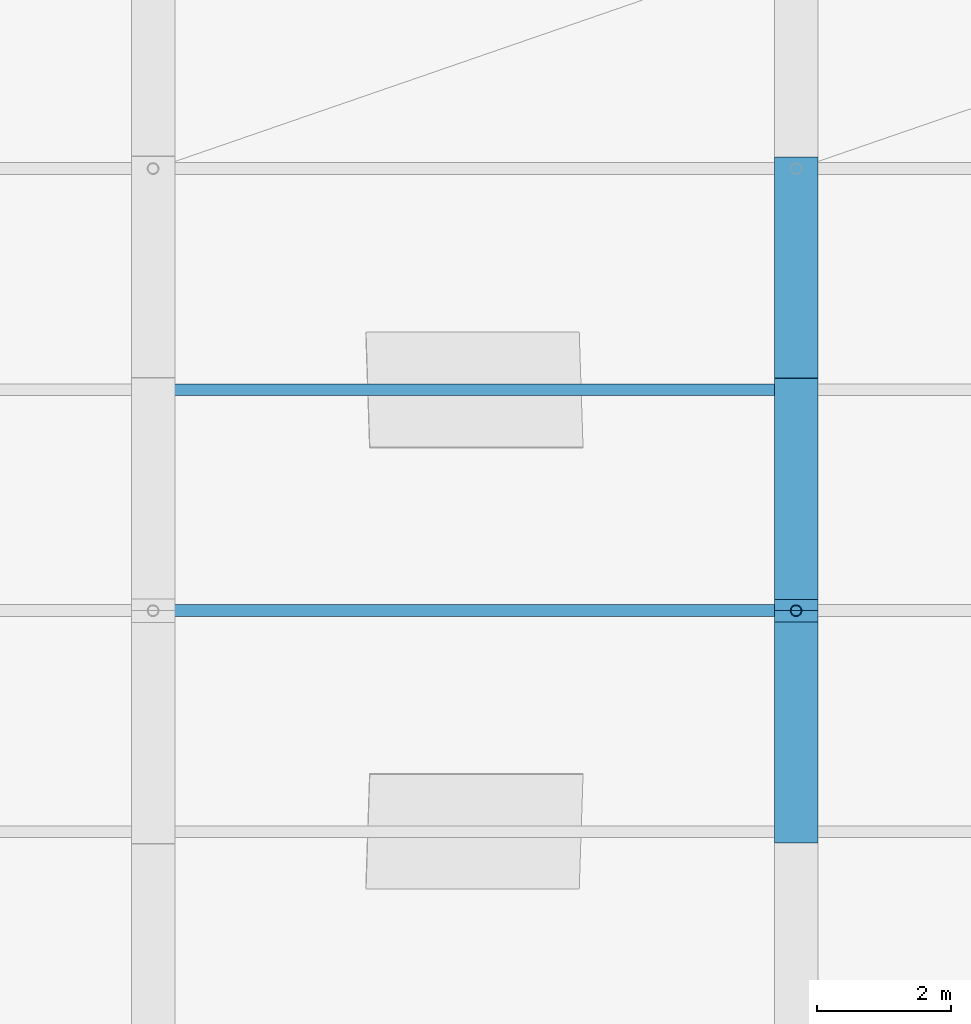
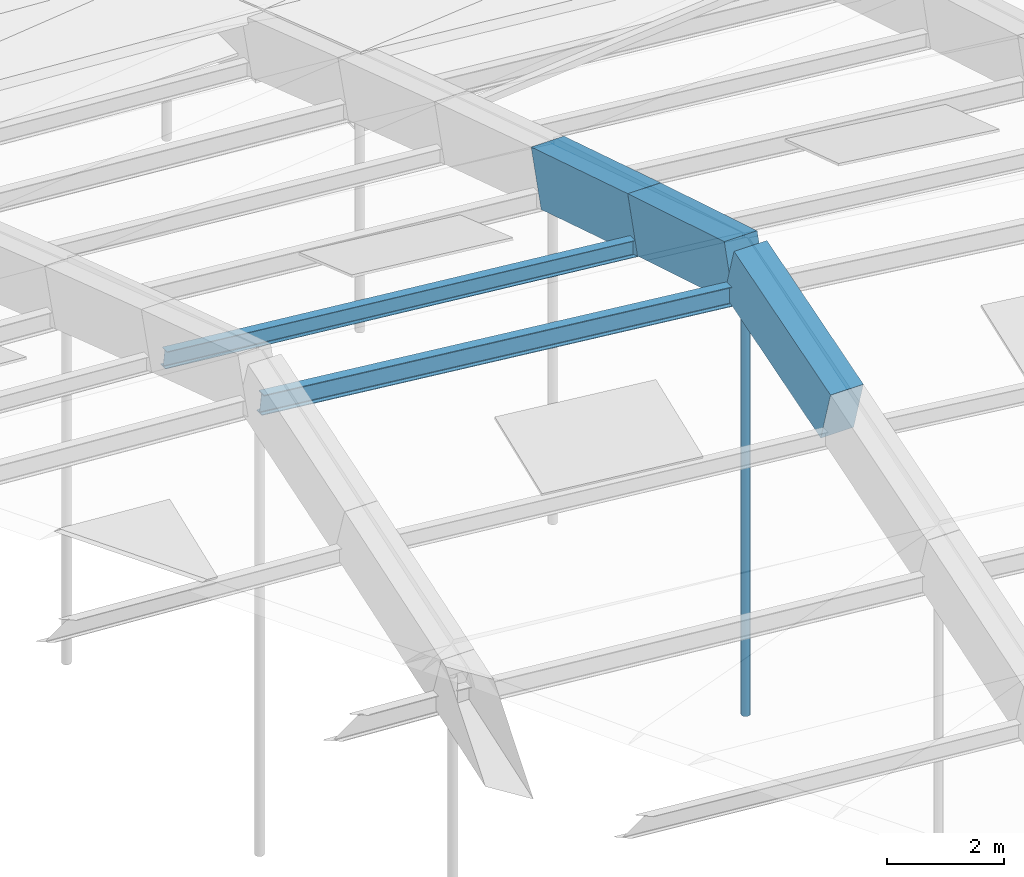
# One storey, part 32 of 43: 3 beams, 3 members.
"""IFC4 building model written with IfcOpenShell, lengths in metres."""

from ifc_helpers import new_model, si_unit, direction, frame, origin, origin_2d, place, context, subcontext, project, spatial, rectangle, hollow_circle, i_section, extrude, material, material_profile, profile_set, type_object, element, save


model = new_model("IFC4")

# Units and contexts
model_context = context("Model", 3, precision=1e-05, world=origin(), true_north=direction((0.0, 1.0)))
body_context = subcontext(model_context, "Body", "Model", "MODEL_VIEW")
ifc_project = project(units=[si_unit("LENGTHUNIT", "METRE"), si_unit("AREAUNIT", "SQUARE_METRE"), si_unit("VOLUMEUNIT", "CUBIC_METRE"), si_unit("PLANEANGLEUNIT", "RADIAN"), si_unit("MASSUNIT", "GRAM", prefix="KILO")], contexts=[model_context])

# Site, building, storey
site_placement = place(None, origin())
site = spatial("IfcSite", under=ifc_project, at=site_placement, CompositionType="ELEMENT")
building_placement = place(site_placement, origin())
building = spatial("IfcBuilding", under=site, at=building_placement, Name="Chalmorin Arch Market", CompositionType="ELEMENT")
storey_placement = place(building_placement, frame((0.0, 0.0, 18.60009765625)))
storey = spatial("IfcBuildingStorey", under=building, at=storey_placement, Name="RF", CompositionType="ELEMENT", Elevation=18.60009765625)

# Member
ifc_material_1 = material(Name="Steel A500 Grade C", Category="steel")
ifc_material_profile_1 = material_profile(ifc_material_1, hollow_circle(Radius=0.084228515625, WallThickness=0.007080078125, at=origin_2d()), Name="CHS168X7")
ifc_profile_set_1 = profile_set([ifc_material_profile_1], Name="Steel A500 Grade C")
member_type_1 = type_object("IfcMemberType", Name="ArchHangerTie-CHS168", PredefinedType="CHORD", material=ifc_profile_set_1)
member_1_placement = place(storey_placement, frame((115.199951171875, 32.39990234375, -3.283447265625), z_axis=(0.0, 0.0, 1.0), x_axis=(1.0, 0.0, 0.0)))
element("IfcMember", 1, at=member_1_placement, inside=storey, type_object=member_type_1, Name="HT-CH168-0180", PredefinedType="CHORD", context=body_context, shape_type="SweptSolid", body=[
    extrude(hollow_circle(Radius=0.084228515625, WallThickness=0.007080078125, at=origin_2d()), origin(), (0.0, 0.0, 1.0), 9.319580078125),
])

# Beams
ifc_material_2 = material(Name="Concrete C50/60", Category="concrete")
ifc_material_profile_2 = material_profile(ifc_material_2, rectangle(XDim=0.64990234375, YDim=1.14990234375, at=origin_2d()), Name="RC650X1150")
ifc_profile_set_2 = profile_set([ifc_material_profile_2], Name="Concrete C50/60")
beam_type = type_object("IfcBeamType", Name="ArchRibChord-650x1150", PredefinedType="BEAM", material=ifc_profile_set_2)
beam_1_placement = place(storey_placement, frame((115.199951171875, 29.10009765625, 5.035888671875), z_axis=(0.0, 0.956999985535, 0.290087965429), x_axis=(-1.0, 0.0, 0.0)))
element("IfcBeam", 2, at=beam_1_placement, inside=storey, type_object=beam_type, Name="AR-01-1725", PredefinedType="BEAM", context=body_context, shape_type="SweptSolid", body=[
    extrude(rectangle(XDim=0.64990234375, YDim=1.14990234375, at=origin_2d()), origin(), (0.0, 0.0, 1.0), 3.447998046875),
])
beam_2_placement = place(storey_placement, frame((115.199951171875, 32.39990234375, 6.0361328125), z_axis=(0.0, 0.95700594324, -0.290068310236), x_axis=(-1.0, 0.0, 0.0)))
element("IfcBeam", 3, at=beam_2_placement, inside=storey, type_object=beam_type, Name="AR-01-1726", PredefinedType="BEAM", context=body_context, shape_type="SweptSolid", body=[
    extrude(rectangle(XDim=0.64990234375, YDim=1.14990234375, at=origin_2d()), origin(), (0.0, 0.0, 1.0), 3.4482421875),
])
beam_3_placement = place(storey_placement, frame((115.199951171875, 35.699951171875, 5.035888671875), z_axis=(0.0, 0.954782389732, -0.297305546969), x_axis=(-1.0, 0.0, 0.0)))
element("IfcBeam", 4, at=beam_3_placement, inside=storey, type_object=beam_type, Name="AR-01-1727", PredefinedType="BEAM", context=body_context, shape_type="SweptSolid", body=[
    extrude(rectangle(XDim=0.64990234375, YDim=1.14990234375, at=origin_2d()), origin(), (0.0, 0.0, 1.0), 3.456298828125),
])

# Members
ifc_material_3 = material(Name="Steel A992 Grade 50", Category="steel")
ifc_material_profile_3 = material_profile(ifc_material_3, i_section(OverallWidth=0.1708984375, OverallDepth=0.35107421875, WebThickness=0.0068359375, FlangeThickness=0.009765625, FilletRadius=0.014892578125, at=origin_2d()), Name="W14X30")
ifc_profile_set_3 = profile_set([ifc_material_profile_3], Name="Steel A992 Grade 50")
member_type_2 = type_object("IfcMemberType", Name="RoofSteelPurlin-W14X30", PredefinedType="PURLIN", material=ifc_profile_set_3)
member_2_placement = place(storey_placement, frame((105.6201171875, 35.699951171875, 5.496826171875), z_axis=(0.995191239387, 0.0, -0.097950993094), x_axis=(0.0, 1.0, 0.0)))
element("IfcMember", 5, at=member_2_placement, inside=storey, type_object=member_type_2, Name="PR-W14-0307", PredefinedType="PURLIN", context=body_context, shape_type="SweptSolid", body=[
    extrude(i_section(OverallWidth=0.1708984375, OverallDepth=0.35107421875, WebThickness=0.0068359375, FlangeThickness=0.009765625, FilletRadius=0.014892578125, at=origin_2d()), origin(), (0.0, 0.0, 1.0), 9.60595703125),
])
ifc_material_profile_4 = material_profile(ifc_material_3, i_section(OverallWidth=0.178955078125, OverallDepth=0.409912109375, WebThickness=0.0087890625, FlangeThickness=0.014404296875, FilletRadius=0.01806640625, at=origin_2d()), Name="W16X45")
ifc_profile_set_4 = profile_set([ifc_material_profile_4], Name="Steel A992 Grade 50")
member_type_3 = type_object("IfcMemberType", Name="RoofSteelPurlin-W16X45", PredefinedType="PURLIN", material=ifc_profile_set_4)
member_3_placement = place(storey_placement, frame((105.6201171875, 32.39990234375, 6.56201171875), z_axis=(0.994510183591, 0.0, -0.104639833399), x_axis=(0.0, 1.0, 0.0)))
element("IfcMember", 6, at=member_3_placement, inside=storey, type_object=member_type_3, Name="PR-W16-0306", PredefinedType="PURLIN", context=body_context, shape_type="SweptSolid", body=[
    extrude(i_section(OverallWidth=0.178955078125, OverallDepth=0.409912109375, WebThickness=0.0087890625, FlangeThickness=0.014404296875, FilletRadius=0.01806640625, at=origin_2d()), origin(), (0.0, 0.0, 1.0), 9.612548828125),
])

save(model, "model.ifc")
